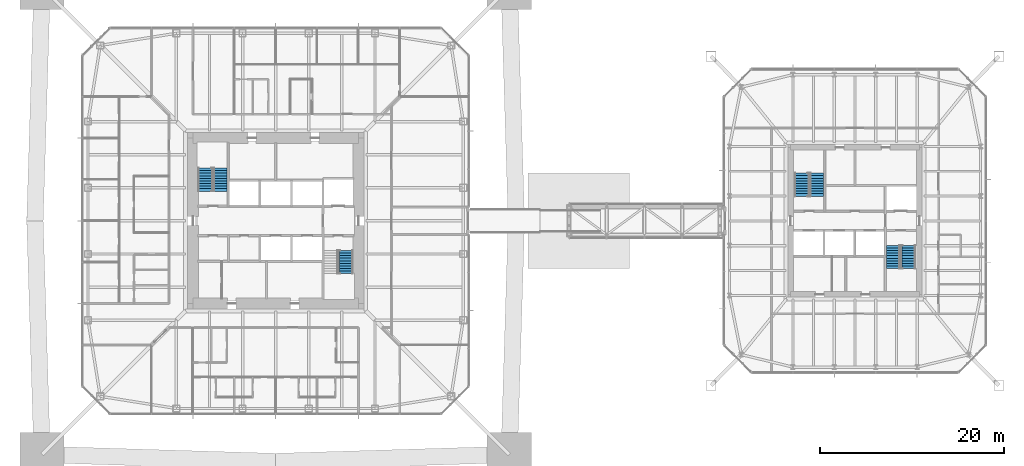
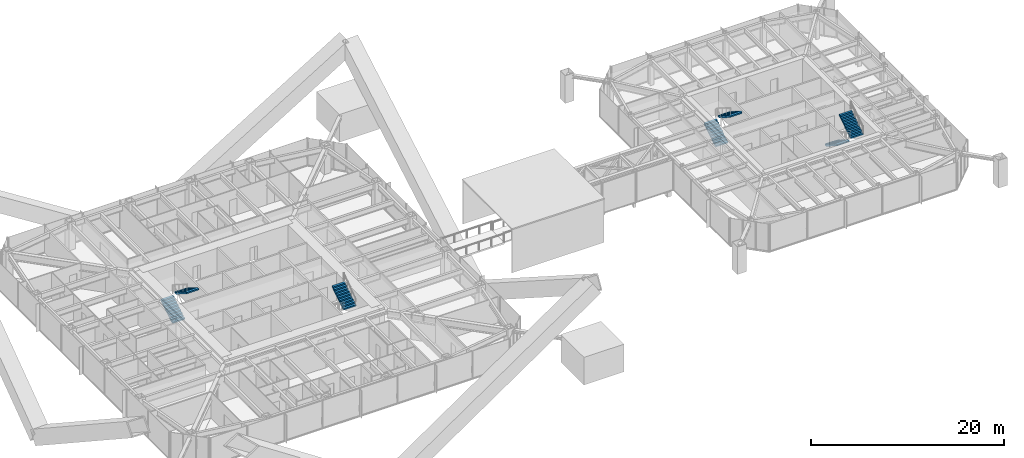
# One storey, part 23 of 28: 7 stair flights, 4 elements without a shape of their own.
"""IFC4 building model written with IfcOpenShell, lengths in metres."""

from ifc_helpers import new_model, si_unit, direction, frame, origin, place, context, subcontext, project, spatial, polyline, outline, extrude, material, constituent, constituent_set, type_object, element, aggregate, save


model = new_model("IFC4")

# Units and contexts
model_context = context("Model", 3, precision=1e-05, world=origin(), true_north=direction((0.0, 1.0)))
body_context = subcontext(model_context, "Body", "Model", "MODEL_VIEW")
ifc_project = project(units=[si_unit("LENGTHUNIT", "METRE"), si_unit("AREAUNIT", "SQUARE_METRE"), si_unit("VOLUMEUNIT", "CUBIC_METRE"), si_unit("PLANEANGLEUNIT", "RADIAN"), si_unit("MASSUNIT", "GRAM", prefix="KILO")], contexts=[model_context])

# Site, building, storey
site_placement = place(None, origin())
site = spatial("IfcSite", under=ifc_project, at=site_placement, CompositionType="ELEMENT")
building_placement = place(site_placement, origin())
building = spatial("IfcBuilding", under=site, at=building_placement, Name="Iwan Alto Co-Living Towers", CompositionType="ELEMENT")
storey_placement = place(building_placement, frame((0.0, 0.0, 98.0)))
storey = spatial("IfcBuildingStorey", under=building, at=storey_placement, Name="L26", CompositionType="ELEMENT", Elevation=98.0)

# Stair, stair flights
ifc_material_1 = material(Name="Steel ASTM A36", Category="steel")
ifc_constituent_1 = constituent(ifc_material_1, Name="Stringers", Category="LoadBearing")
ifc_material_2 = material(Name="Concrete f'c 30 MPa", Category="concrete")
ifc_constituent_2 = constituent(ifc_material_2, Name="Tread fill", Category="Finish")
ifc_constituent_set_1 = constituent_set(constituents=[ifc_constituent_1, ifc_constituent_2], Name="STAIR 3500 TWO-FLIGHT T1 CORE")
stair_type_1 = type_object("IfcStairType", Name="STAIR 3500 TWO-FLIGHT T1 CORE", PredefinedType="HALF_TURN_STAIR", material=ifc_constituent_set_1)
stair_1_placement = place(storey_placement, origin())
stair_1 = element("IfcStair", 1, at=stair_1_placement, inside=storey, type_object=stair_type_1, Name="Stair T1-S1 L26 to L27", PredefinedType="HALF_TURN_STAIR")
ifc_constituent_3 = constituent(ifc_material_1, Name="Stringers", Category="LoadBearing")
ifc_constituent_4 = constituent(ifc_material_2, Name="Tread fill", Category="Finish")
ifc_constituent_set_2 = constituent_set(constituents=[ifc_constituent_3, ifc_constituent_4], Name="STAIR FLIGHT 10 RISERS 280 GOING")
stair_flight_type = type_object("IfcStairFlightType", Name="STAIR FLIGHT 10 RISERS 280 GOING", PredefinedType="STRAIGHT", material=ifc_constituent_set_2)
stair_flight_1_placement = place(storey_placement, frame((-7.68994140625, 3.219970703125, 0.0), z_axis=(0.0, 0.0, 1.0), x_axis=(0.0, 1.0, 0.0)))
stair_flight_1 = element("IfcStairFlight", 2, at=stair_flight_1_placement, type_object=stair_flight_type, Name="T1-S1 flight 1", NumberOfRisers=10, NumberOfTreads=9, PredefinedType="STRAIGHT", RiserHeight=0.175, TreadLength=0.28, context=body_context, shape_type="SweptSolid", body=[
    extrude(outline(polyline([(0.0, 0.0), (0.0, 0.175048828125), (0.280029296875, 0.175048828125), (0.280029296875, 0.35009765625), (0.56005859375, 0.35009765625), (0.56005859375, 0.52490234375), (0.840087890625, 0.52490234375), (0.840087890625, 0.699951171875), (1.1201171875, 0.699951171875), (1.1201171875, 0.875), (1.39990234375, 0.875), (1.39990234375, 1.050048828125), (1.679931640625, 1.050048828125), (1.679931640625, 1.22509765625), (1.9599609375, 1.22509765625), (1.9599609375, 1.39990234375), (2.239990234375, 1.39990234375), (2.239990234375, 1.574951171875), (2.52001953125, 1.574951171875), (2.52001953125, 1.75), (2.52001953125, 1.398193359375), (0.28271484375, 0.0), (0.0, 0.0)])), frame((0.0, 0.739990234375, 0.0), z_axis=(0.0, -1.0, 0.0), x_axis=(1.0, 0.0, 0.0)), (0.0, 0.0, 1.0), 1.47998046875),
])
stair_flight_2_placement = place(storey_placement, frame((-6.010009765625, 5.739990234375, 1.75), z_axis=(0.0, 0.0, 1.0), x_axis=(0.0, -1.0, 0.0)))
stair_flight_2 = element("IfcStairFlight", 3, at=stair_flight_2_placement, type_object=stair_flight_type, Name="T1-S1 flight 2", NumberOfRisers=10, NumberOfTreads=9, PredefinedType="STRAIGHT", RiserHeight=0.175, TreadLength=0.28, context=body_context, shape_type="SweptSolid", body=[
    extrude(outline(polyline([(0.0, 0.0), (0.0, 0.175048828125), (0.280029296875, 0.175048828125), (0.280029296875, 0.35009765625), (0.56005859375, 0.35009765625), (0.56005859375, 0.52490234375), (0.840087890625, 0.52490234375), (0.840087890625, 0.699951171875), (1.1201171875, 0.699951171875), (1.1201171875, 0.875), (1.39990234375, 0.875), (1.39990234375, 1.050048828125), (1.679931640625, 1.050048828125), (1.679931640625, 1.22509765625), (1.9599609375, 1.22509765625), (1.9599609375, 1.39990234375), (2.239990234375, 1.39990234375), (2.239990234375, 1.574951171875), (2.52001953125, 1.574951171875), (2.52001953125, 1.75), (2.52001953125, 1.398193359375), (0.28271484375, 0.0), (0.0, 0.0)])), frame((0.0, 0.739990234375, 0.0), z_axis=(0.0, -1.0, 0.0), x_axis=(1.0, 0.0, 0.0)), (0.0, 0.0, 1.0), 1.47998046875),
])
aggregate(stair_1, [stair_flight_1, stair_flight_2])

# Stair, stair flight
stair_2_placement = place(storey_placement, origin())
stair_2 = element("IfcStair", 4, at=stair_2_placement, inside=storey, type_object=stair_type_1, Name="Stair T1-S2 L26 to L27", PredefinedType="HALF_TURN_STAIR")
stair_flight_3_placement = place(storey_placement, frame((7.68994140625, -5.739990234375, 1.75), z_axis=(0.0, 0.0, 1.0), x_axis=(0.0, 1.0, 0.0)))
stair_flight_3 = element("IfcStairFlight", 5, at=stair_flight_3_placement, type_object=stair_flight_type, Name="T1-S2 flight 2", NumberOfRisers=10, NumberOfTreads=9, PredefinedType="STRAIGHT", RiserHeight=0.175, TreadLength=0.28, context=body_context, shape_type="SweptSolid", body=[
    extrude(outline(polyline([(0.0, 0.0), (0.0, 0.175048828125), (0.280029296875, 0.175048828125), (0.280029296875, 0.35009765625), (0.56005859375, 0.35009765625), (0.56005859375, 0.52490234375), (0.840087890625, 0.52490234375), (0.840087890625, 0.699951171875), (1.1201171875, 0.699951171875), (1.1201171875, 0.875), (1.39990234375, 0.875), (1.39990234375, 1.050048828125), (1.679931640625, 1.050048828125), (1.679931640625, 1.22509765625), (1.9599609375, 1.22509765625), (1.9599609375, 1.39990234375), (2.239990234375, 1.39990234375), (2.239990234375, 1.574951171875), (2.52001953125, 1.574951171875), (2.52001953125, 1.75), (2.52001953125, 1.398193359375), (0.28271484375, 0.0), (0.0, 0.0)])), frame((0.0, 0.739990234375, 0.0), z_axis=(0.0, -1.0, 0.0), x_axis=(1.0, 0.0, 0.0)), (0.0, 0.0, 1.0), 1.47998046875),
])
aggregate(stair_2, [stair_flight_3])

# Stair, stair flights
ifc_constituent_5 = constituent(ifc_material_1, Name="Stringers", Category="LoadBearing")
ifc_constituent_6 = constituent(ifc_material_2, Name="Tread fill", Category="Finish")
ifc_constituent_set_3 = constituent_set(constituents=[ifc_constituent_5, ifc_constituent_6], Name="STAIR 3500 TWO-FLIGHT T2 CORE")
stair_type_2 = type_object("IfcStairType", Name="STAIR 3500 TWO-FLIGHT T2 CORE", PredefinedType="HALF_TURN_STAIR", material=ifc_constituent_set_3)
stair_3_placement = place(storey_placement, origin())
stair_3 = element("IfcStair", 6, at=stair_3_placement, inside=storey, type_object=stair_type_2, Name="Stair T2-S1 L26 to L27", PredefinedType="HALF_TURN_STAIR")
stair_flight_4_placement = place(storey_placement, frame((57.159912109375, 2.669921875, 0.0), z_axis=(0.0, 0.0, 1.0), x_axis=(0.0, 1.0, 0.0)))
stair_flight_4 = element("IfcStairFlight", 7, at=stair_flight_4_placement, type_object=stair_flight_type, Name="T2-S1 flight 1", NumberOfRisers=10, NumberOfTreads=9, PredefinedType="STRAIGHT", RiserHeight=0.175, TreadLength=0.28, context=body_context, shape_type="SweptSolid", body=[
    extrude(outline(polyline([(0.0, 0.0), (0.0, 0.175048828125), (0.280029296875, 0.175048828125), (0.280029296875, 0.35009765625), (0.56005859375, 0.35009765625), (0.56005859375, 0.52490234375), (0.840087890625, 0.52490234375), (0.840087890625, 0.699951171875), (1.1201171875, 0.699951171875), (1.1201171875, 0.875), (1.39990234375, 0.875), (1.39990234375, 1.050048828125), (1.679931640625, 1.050048828125), (1.679931640625, 1.22509765625), (1.9599609375, 1.22509765625), (1.9599609375, 1.39990234375), (2.239990234375, 1.39990234375), (2.239990234375, 1.574951171875), (2.52001953125, 1.574951171875), (2.52001953125, 1.75), (2.52001953125, 1.398193359375), (0.28271484375, 0.0), (0.0, 0.0)])), frame((0.0, 0.739990234375, 0.0), z_axis=(0.0, -1.0, 0.0), x_axis=(1.0, 0.0, 0.0)), (0.0, 0.0, 1.0), 1.47998046875),
])
stair_flight_5_placement = place(storey_placement, frame((58.840087890625, 5.18994140625, 1.75), z_axis=(0.0, 0.0, 1.0), x_axis=(0.0, -1.0, 0.0)))
stair_flight_5 = element("IfcStairFlight", 8, at=stair_flight_5_placement, type_object=stair_flight_type, Name="T2-S1 flight 2", NumberOfRisers=10, NumberOfTreads=9, PredefinedType="STRAIGHT", RiserHeight=0.175, TreadLength=0.28, context=body_context, shape_type="SweptSolid", body=[
    extrude(outline(polyline([(0.0, 0.0), (0.0, 0.175048828125), (0.280029296875, 0.175048828125), (0.280029296875, 0.35009765625), (0.56005859375, 0.35009765625), (0.56005859375, 0.52490234375), (0.840087890625, 0.52490234375), (0.840087890625, 0.699951171875), (1.1201171875, 0.699951171875), (1.1201171875, 0.875), (1.39990234375, 0.875), (1.39990234375, 1.050048828125), (1.679931640625, 1.050048828125), (1.679931640625, 1.22509765625), (1.9599609375, 1.22509765625), (1.9599609375, 1.39990234375), (2.239990234375, 1.39990234375), (2.239990234375, 1.574951171875), (2.52001953125, 1.574951171875), (2.52001953125, 1.75), (2.52001953125, 1.398193359375), (0.28271484375, 0.0), (0.0, 0.0)])), frame((0.0, 0.739990234375, 0.0), z_axis=(0.0, -1.0, 0.0), x_axis=(1.0, 0.0, 0.0)), (0.0, 0.0, 1.0), 1.47998046875),
])
aggregate(stair_3, [stair_flight_4, stair_flight_5])

stair_4_placement = place(storey_placement, origin())
stair_4 = element("IfcStair", 9, at=stair_4_placement, inside=storey, type_object=stair_type_2, Name="Stair T2-S2 L26 to L27", PredefinedType="HALF_TURN_STAIR")
stair_flight_6_placement = place(storey_placement, frame((67.159912109375, -2.669921875, 0.0), z_axis=(0.0, 0.0, 1.0), x_axis=(0.0, -1.0, 0.0)))
stair_flight_6 = element("IfcStairFlight", 10, at=stair_flight_6_placement, type_object=stair_flight_type, Name="T2-S2 flight 1", NumberOfRisers=10, NumberOfTreads=9, PredefinedType="STRAIGHT", RiserHeight=0.175, TreadLength=0.28, context=body_context, shape_type="SweptSolid", body=[
    extrude(outline(polyline([(0.0, 0.0), (0.0, 0.175048828125), (0.280029296875, 0.175048828125), (0.280029296875, 0.35009765625), (0.56005859375, 0.35009765625), (0.56005859375, 0.52490234375), (0.840087890625, 0.52490234375), (0.840087890625, 0.699951171875), (1.1201171875, 0.699951171875), (1.1201171875, 0.875), (1.39990234375, 0.875), (1.39990234375, 1.050048828125), (1.679931640625, 1.050048828125), (1.679931640625, 1.22509765625), (1.9599609375, 1.22509765625), (1.9599609375, 1.39990234375), (2.239990234375, 1.39990234375), (2.239990234375, 1.574951171875), (2.52001953125, 1.574951171875), (2.52001953125, 1.75), (2.52001953125, 1.398193359375), (0.28271484375, 0.0), (0.0, 0.0)])), frame((0.0, 0.739990234375, 0.0), z_axis=(0.0, -1.0, 0.0), x_axis=(1.0, 0.0, 0.0)), (0.0, 0.0, 1.0), 1.47998046875),
])
stair_flight_7_placement = place(storey_placement, frame((68.840087890625, -5.18994140625, 1.75), z_axis=(0.0, 0.0, 1.0), x_axis=(0.0, 1.0, 0.0)))
stair_flight_7 = element("IfcStairFlight", 11, at=stair_flight_7_placement, type_object=stair_flight_type, Name="T2-S2 flight 2", NumberOfRisers=10, NumberOfTreads=9, PredefinedType="STRAIGHT", RiserHeight=0.175, TreadLength=0.28, context=body_context, shape_type="SweptSolid", body=[
    extrude(outline(polyline([(0.0, 0.0), (0.0, 0.175048828125), (0.280029296875, 0.175048828125), (0.280029296875, 0.35009765625), (0.56005859375, 0.35009765625), (0.56005859375, 0.52490234375), (0.840087890625, 0.52490234375), (0.840087890625, 0.699951171875), (1.1201171875, 0.699951171875), (1.1201171875, 0.875), (1.39990234375, 0.875), (1.39990234375, 1.050048828125), (1.679931640625, 1.050048828125), (1.679931640625, 1.22509765625), (1.9599609375, 1.22509765625), (1.9599609375, 1.39990234375), (2.239990234375, 1.39990234375), (2.239990234375, 1.574951171875), (2.52001953125, 1.574951171875), (2.52001953125, 1.75), (2.52001953125, 1.398193359375), (0.28271484375, 0.0), (0.0, 0.0)])), frame((0.0, 0.739990234375, 0.0), z_axis=(0.0, -1.0, 0.0), x_axis=(1.0, 0.0, 0.0)), (0.0, 0.0, 1.0), 1.47998046875),
])
aggregate(stair_4, [stair_flight_6, stair_flight_7])

save(model, "model.ifc")
